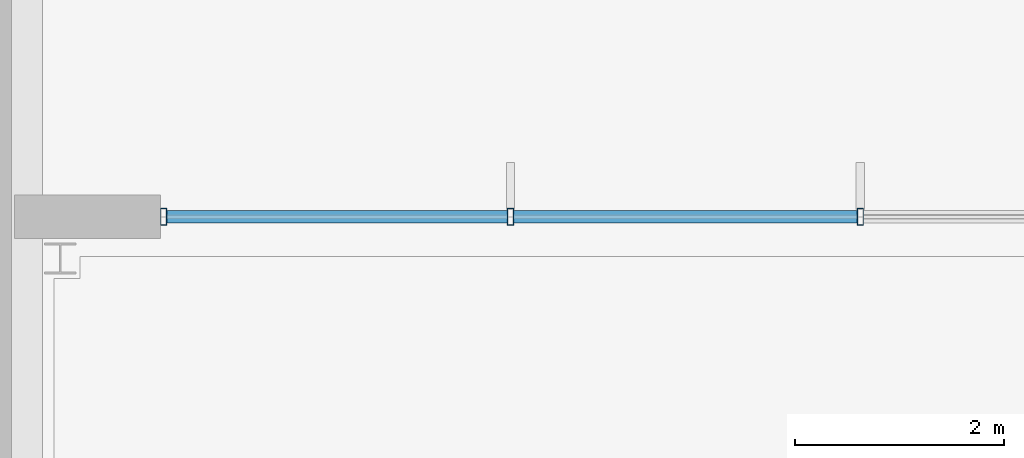
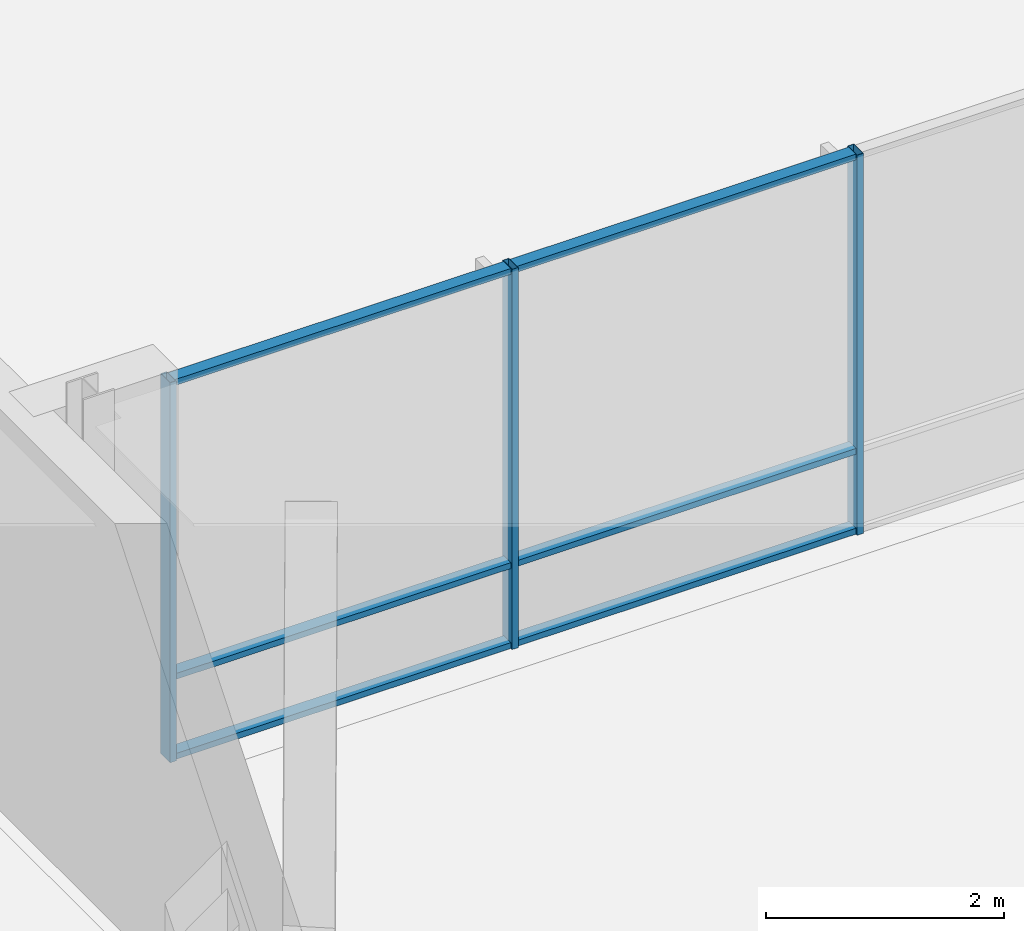
# One storey, part 41 of 233: 9 members, 1 element without a shape of its own.
"""IFC4 building model written with IfcOpenShell, lengths in metres."""

from ifc_helpers import new_model, si_unit, direction, frame, origin, origin_2d, place, context, subcontext, project, spatial, hollow_rectangle, extrude, material, material_profile, profile_set, type_object, element, aggregate, save


model = new_model("IFC4")

# Units and contexts
model_context = context("Model", 3, precision=1e-05, world=origin(), true_north=direction((0.0, 1.0)))
body_context = subcontext(model_context, "Body", "Model", "MODEL_VIEW")
ifc_project = project(units=[si_unit("LENGTHUNIT", "METRE"), si_unit("AREAUNIT", "SQUARE_METRE"), si_unit("VOLUMEUNIT", "CUBIC_METRE"), si_unit("PLANEANGLEUNIT", "RADIAN"), si_unit("MASSUNIT", "GRAM", prefix="KILO")], contexts=[model_context])

# Site, building, storey
site_placement = place(None, origin())
site = spatial("IfcSite", under=ifc_project, at=site_placement, CompositionType="ELEMENT")
building_placement = place(site_placement, origin())
building = spatial("IfcBuilding", under=site, at=building_placement, Name="Zavelmont Quarter", CompositionType="ELEMENT")
storey_placement = place(building_placement, origin())
storey = spatial("IfcBuildingStorey", under=building, at=storey_placement, Name="L00", CompositionType="ELEMENT", Elevation=0.0)

# Curtain wall, members
ifc_material_1 = material(Name="Thermally broken aluminium and double low-E safety glazing", Category="aluminium")
curtain_wall_type = type_object("IfcCurtainWallType", Name="CW-1340X390", PredefinedType="NOTDEFINED", material=ifc_material_1)
curtain_wall_placement = place(storey_placement, origin())
curtain_wall = element("IfcCurtainWall", 1, at=curtain_wall_placement, inside=storey, type_object=curtain_wall_type, Name="L00 unitised curtain wall CW-1340X390", PredefinedType="NOTDEFINED")
ifc_material_2 = material(Name="Powder-coated aluminium EN AW-6063-T6", Category="aluminium")
ifc_material_profile_1 = material_profile(ifc_material_2, hollow_rectangle(XDim=0.06005859375, YDim=0.159912109375, WallThickness=0.00390625, at=origin_2d()), Name="CWM60X160")
ifc_profile_set_1 = profile_set([ifc_material_profile_1], Name="Powder-coated aluminium EN AW-6063-T6")
member_type_1 = type_object("IfcMemberType", Name="CWM01", PredefinedType="MULLION", material=ifc_profile_set_1)
member_1_placement = place(storey_placement, frame((56.6298828125, 14.39990234375, 0.0), z_axis=(0.0, 0.0, 1.0), x_axis=(1.0, 0.0, 0.0)))
member_1 = element("IfcMember", 2, at=member_1_placement, type_object=member_type_1, Name="CW-1340X390 mullion 1", PredefinedType="MULLION", context=body_context, shape_type="SweptSolid", body=[
    extrude(hollow_rectangle(XDim=0.06005859375, YDim=0.159912109375, WallThickness=0.00390625, at=origin_2d()), origin(), (0.0, 0.0, 1.0), 3.89990234375),
])
member_2_placement = place(storey_placement, frame((59.949951171875, 14.39990234375, 0.0), z_axis=(0.0, 0.0, 1.0), x_axis=(1.0, 0.0, 0.0)))
member_2 = element("IfcMember", 3, at=member_2_placement, type_object=member_type_1, Name="CW-1340X390 mullion 2", PredefinedType="MULLION", context=body_context, shape_type="SweptSolid", body=[
    extrude(hollow_rectangle(XDim=0.06005859375, YDim=0.159912109375, WallThickness=0.00390625, at=origin_2d()), origin(), (0.0, 0.0, 1.0), 3.89990234375),
])
member_3_placement = place(storey_placement, frame((63.300048828125, 14.39990234375, 0.0), z_axis=(0.0, 0.0, 1.0), x_axis=(1.0, 0.0, 0.0)))
member_3 = element("IfcMember", 4, at=member_3_placement, type_object=member_type_1, Name="CW-1340X390 mullion 3", PredefinedType="MULLION", context=body_context, shape_type="SweptSolid", body=[
    extrude(hollow_rectangle(XDim=0.06005859375, YDim=0.159912109375, WallThickness=0.00390625, at=origin_2d()), origin(), (0.0, 0.0, 1.0), 3.89990234375),
])
ifc_material_profile_2 = material_profile(ifc_material_2, hollow_rectangle(XDim=0.1201171875, YDim=0.06005859375, WallThickness=0.00390625, at=origin_2d()), Name="CWT60X120")
ifc_profile_set_2 = profile_set([ifc_material_profile_2], Name="Powder-coated aluminium EN AW-6063-T6")
member_type_2 = type_object("IfcMemberType", Name="CWT01", PredefinedType="NOTDEFINED", material=ifc_profile_set_2)
member_4_placement = place(storey_placement, frame((56.659912109375, 14.39990234375, 0.030029296875), z_axis=(1.0, 0.0, 0.0), x_axis=(0.0, 1.0, 0.0)))
member_4 = element("IfcMember", 5, at=member_4_placement, type_object=member_type_2, Name="CW-1340X390 transom 1.1", ObjectType="TRANSOM", PredefinedType="USERDEFINED", context=body_context, shape_type="SweptSolid", body=[
    extrude(hollow_rectangle(XDim=0.1201171875, YDim=0.06005859375, WallThickness=0.00390625, at=origin_2d()), origin(), (0.0, 0.0, 1.0), 3.260009765625),
])
member_5_placement = place(storey_placement, frame((56.659912109375, 14.39990234375, 0.85009765625), z_axis=(1.0, 0.0, 0.0), x_axis=(0.0, 1.0, 0.0)))
member_5 = element("IfcMember", 6, at=member_5_placement, type_object=member_type_2, Name="CW-1340X390 transom 1.2", ObjectType="TRANSOM", PredefinedType="USERDEFINED", context=body_context, shape_type="SweptSolid", body=[
    extrude(hollow_rectangle(XDim=0.1201171875, YDim=0.06005859375, WallThickness=0.00390625, at=origin_2d()), origin(), (0.0, 0.0, 1.0), 3.260009765625),
])
member_6_placement = place(storey_placement, frame((56.659912109375, 14.39990234375, 3.8701171875), z_axis=(1.0, 0.0, 0.0), x_axis=(0.0, 1.0, 0.0)))
member_6 = element("IfcMember", 7, at=member_6_placement, type_object=member_type_2, Name="CW-1340X390 transom 1.3", ObjectType="TRANSOM", PredefinedType="USERDEFINED", context=body_context, shape_type="SweptSolid", body=[
    extrude(hollow_rectangle(XDim=0.1201171875, YDim=0.06005859375, WallThickness=0.00390625, at=origin_2d()), origin(), (0.0, 0.0, 1.0), 3.260009765625),
])
member_7_placement = place(storey_placement, frame((59.97998046875, 14.39990234375, 0.030029296875), z_axis=(1.0, 0.0, 0.0), x_axis=(0.0, 1.0, 0.0)))
member_7 = element("IfcMember", 8, at=member_7_placement, type_object=member_type_2, Name="CW-1340X390 transom 2.1", ObjectType="TRANSOM", PredefinedType="USERDEFINED", context=body_context, shape_type="SweptSolid", body=[
    extrude(hollow_rectangle(XDim=0.1201171875, YDim=0.06005859375, WallThickness=0.00390625, at=origin_2d()), origin(), (0.0, 0.0, 1.0), 3.2900390625),
])
member_8_placement = place(storey_placement, frame((59.97998046875, 14.39990234375, 0.85009765625), z_axis=(1.0, 0.0, 0.0), x_axis=(0.0, 1.0, 0.0)))
member_8 = element("IfcMember", 9, at=member_8_placement, type_object=member_type_2, Name="CW-1340X390 transom 2.2", ObjectType="TRANSOM", PredefinedType="USERDEFINED", context=body_context, shape_type="SweptSolid", body=[
    extrude(hollow_rectangle(XDim=0.1201171875, YDim=0.06005859375, WallThickness=0.00390625, at=origin_2d()), origin(), (0.0, 0.0, 1.0), 3.2900390625),
])
member_9_placement = place(storey_placement, frame((59.97998046875, 14.39990234375, 3.8701171875), z_axis=(1.0, 0.0, 0.0), x_axis=(0.0, 1.0, 0.0)))
member_9 = element("IfcMember", 10, at=member_9_placement, type_object=member_type_2, Name="CW-1340X390 transom 2.3", ObjectType="TRANSOM", PredefinedType="USERDEFINED", context=body_context, shape_type="SweptSolid", body=[
    extrude(hollow_rectangle(XDim=0.1201171875, YDim=0.06005859375, WallThickness=0.00390625, at=origin_2d()), origin(), (0.0, 0.0, 1.0), 3.2900390625),
])
aggregate(curtain_wall, [member_1, member_2, member_3, member_4, member_5, member_6, member_7, member_8, member_9])

save(model, "model.ifc")
